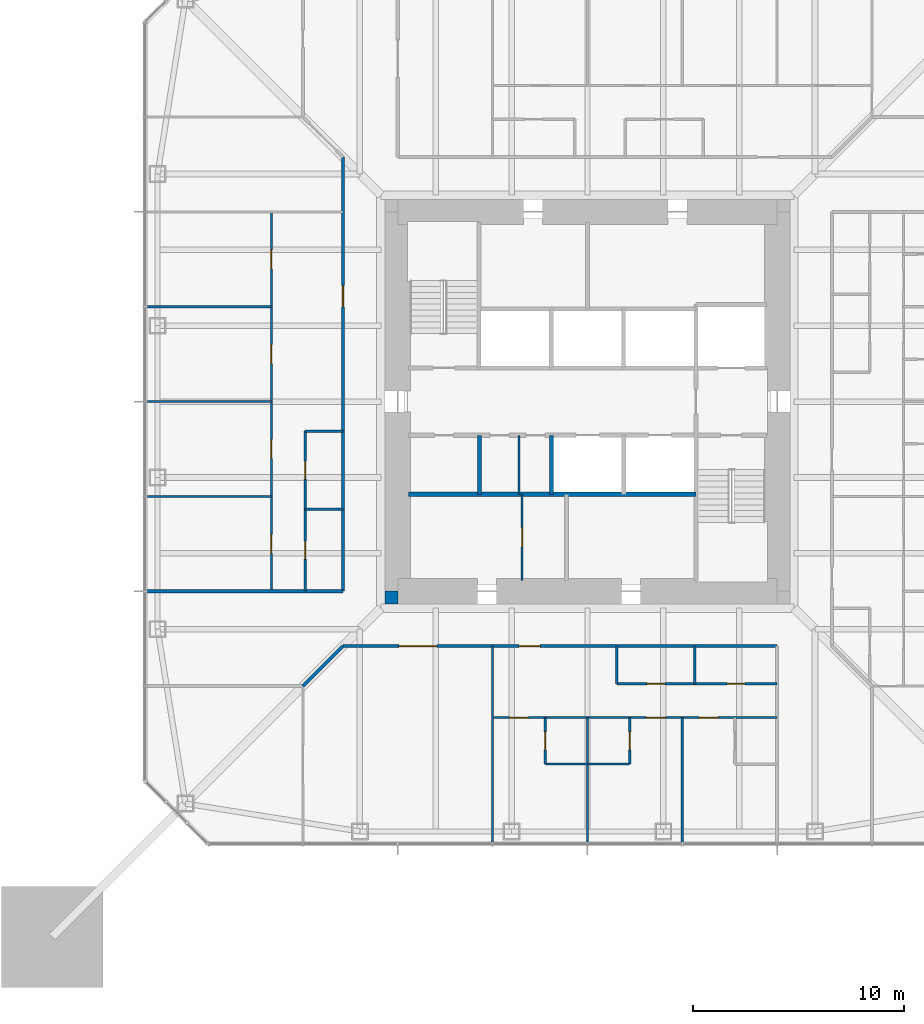
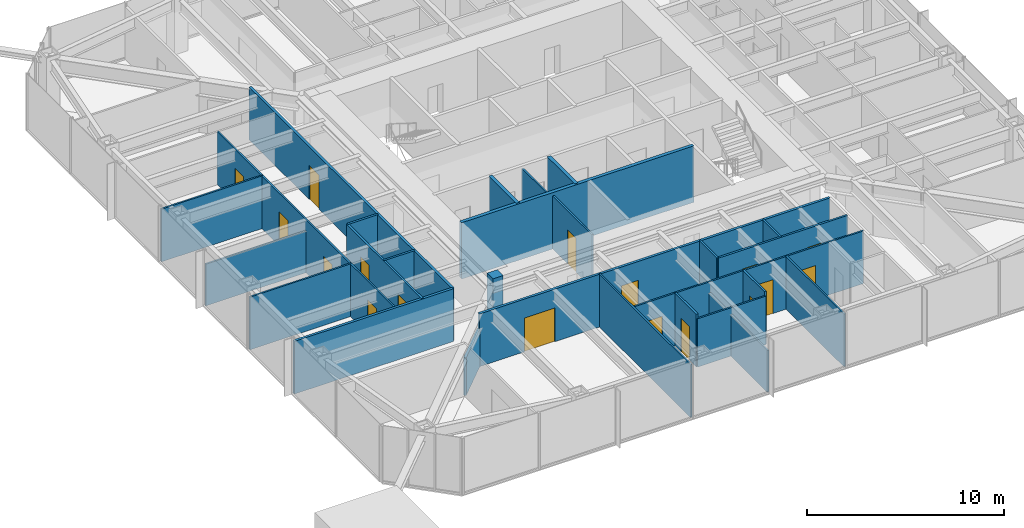
# One storey, part 7 of 14: 27 walls, 17 doors, 17 openings.
"""IFC4 building model written with IfcOpenShell, lengths in metres."""

from ifc_helpers import new_model, si_unit, direction, frame, frame_2d, origin, place, context, subcontext, project, spatial, rectangle, extrude, material, layer, layer_set, type_object, element, fill, save


model = new_model("IFC4")

# Units and contexts
model_context = context("Model", 3, precision=1e-05, world=origin(), true_north=direction((0.0, 1.0)))
body_context = subcontext(model_context, "Body", "Model", "MODEL_VIEW")
ifc_project = project(units=[si_unit("LENGTHUNIT", "METRE"), si_unit("AREAUNIT", "SQUARE_METRE"), si_unit("VOLUMEUNIT", "CUBIC_METRE"), si_unit("PLANEANGLEUNIT", "RADIAN"), si_unit("MASSUNIT", "GRAM", prefix="KILO")], contexts=[model_context])

# Site, building, storey
site_placement = place(None, origin())
site = spatial("IfcSite", under=ifc_project, at=site_placement, CompositionType="ELEMENT")
building_placement = place(site_placement, origin())
building = spatial("IfcBuilding", under=site, at=building_placement, Name="Iwan Alto Co-Living Towers", CompositionType="ELEMENT")
storey_placement = place(building_placement, frame((0.0, 0.0, 136.5)))
storey = spatial("IfcBuildingStorey", under=building, at=storey_placement, Name="L37", CompositionType="ELEMENT", Elevation=136.5)

# Wall, openings, doors
ifc_material_1 = material(Name="Gypsum board")
ifc_layer_1 = layer(ifc_material_1, 0.02490234375, Name="Board", Category="Finish")
ifc_material_2 = material(Name="Steel ASTM A1003 ST33H cold-formed studs", Category="steel")
ifc_layer_2 = layer(ifc_material_2, 0.10009765625, Name="Studs", Category="Framing")
ifc_layer_3 = layer(ifc_material_1, 0.02490234375, Name="Board", Category="Finish")
ifc_layer_set_1 = layer_set([ifc_layer_1, ifc_layer_2, ifc_layer_3], Name="CORRIDOR WALL 150")
wall_type_1 = type_object("IfcWallType", Name="CORRIDOR WALL 150", PredefinedType="PARTITIONING", material=ifc_layer_set_1)
wall_1_placement = place(storey_placement, frame((-11.60009765625, -11.60009765625, 0.0), z_axis=(0.0, 0.0, 1.0), x_axis=(1.0, 0.0, 0.0)))
wall_1 = element("IfcWall", 1, at=wall_1_placement, inside=storey, type_object=wall_type_1, Name="Partition L37", PredefinedType="PARTITIONING", context=body_context, shape_type="SweptSolid", body=[
    extrude(rectangle(XDim=20.60009765625, YDim=0.14990234375, at=frame_2d((10.300048828125, 0.0))), origin(), (0.0, 0.0, 1.0), 3.27001953125),
])
opening_1_placement = place(wall_1_placement, frame((2.64990234375, 0.0, 0.0)))
opening_1 = element("IfcOpeningElement", 2, at=opening_1_placement, cuts=wall_1, Name="Opening D9", PredefinedType="OPENING", context=body_context, shape_type="SweptSolid", body=[
    extrude(rectangle(XDim=1.800048828125, YDim=2.10009765625, at=frame_2d((0.89990234375, 1.050048828125))), frame((0.0, 0.0849609375, 0.0), z_axis=(0.0, -1.0, 0.0), x_axis=(1.0, 0.0, 0.0)), (0.0, 0.0, 1.0), 0.169921875),
])
opening_2_placement = place(wall_1_placement, frame((8.35009765625, 0.0, 0.0)))
opening_2 = element("IfcOpeningElement", 3, at=opening_2_placement, cuts=wall_1, Name="Opening D3", PredefinedType="OPENING", context=body_context, shape_type="SweptSolid", body=[
    extrude(rectangle(XDim=1.0, YDim=2.10009765625, at=frame_2d((0.5, 1.050048828125))), frame((0.0, 0.0849609375, 0.0), z_axis=(0.0, -1.0, 0.0), x_axis=(1.0, 0.0, 0.0)), (0.0, 0.0, 1.0), 0.169921875),
])
ifc_material_3 = material(Name="Steel frame with timber leaf", Category="steel")
door_type_1 = type_object("IfcDoorType", Name="FLAT ENTRANCE DOOR FD30S 1000X2100", OperationType="SINGLE_SWING_LEFT", PredefinedType="DOOR", material=ifc_material_3)
door_1_placement = place(opening_2_placement, frame((1.0, 0.0, 0.0), z_axis=(0.0, 0.0, 1.0), x_axis=(-1.0, 0.0, 0.0)))
door_1 = element("IfcDoor", 4, at=door_1_placement, inside=storey, type_object=door_type_1, Name="Cluster lounge and shared kitchen door L37", OperationType="SINGLE_SWING_RIGHT", OverallHeight=2.10009765625, OverallWidth=1.0, PredefinedType="DOOR", context=body_context, shape_type="SweptSolid", body=[
    extrude(rectangle(XDim=1.0, YDim=2.10009765625, at=frame_2d((0.5, 1.050048828125))), frame((0.0, 0.02490234375, 0.0), z_axis=(0.0, -1.0, 0.0), x_axis=(1.0, 0.0, 0.0)), (0.0, 0.0, 1.0), 0.050048828125),
])
fill(opening_2, door_1)
ifc_material_4 = material(Name="Steel frame with timber leaf", Category="steel")
door_type_2 = type_object("IfcDoorType", Name="LOUNGE DOOR FD30S 1800X2100", OperationType="DOUBLE_DOOR_SINGLE_SWING", PredefinedType="DOOR", material=ifc_material_4)
door_2_placement = place(opening_1_placement, frame((1.800048828125, 0.0, 0.0), z_axis=(0.0, 0.0, 1.0), x_axis=(-1.0, 0.0, 0.0)))
door_2 = element("IfcDoor", 5, at=door_2_placement, inside=storey, type_object=door_type_2, Name="Study commons door L37", OperationType="DOUBLE_DOOR_SINGLE_SWING", OverallHeight=2.10009765625, OverallWidth=1.800048828125, PredefinedType="DOOR", context=body_context, shape_type="SweptSolid", body=[
    extrude(rectangle(XDim=1.800048828125, YDim=2.10009765625, at=frame_2d((0.89990234375, 1.050048828125))), frame((0.0, 0.02490234375, 0.0), z_axis=(0.0, -1.0, 0.0), x_axis=(1.0, 0.0, 0.0)), (0.0, 0.0, 1.0), 0.050048828125),
])
fill(opening_1, door_2)

# Walls
wall_2_placement = place(storey_placement, frame((-20.93994140625, -9.0, 0.0), z_axis=(0.0, 0.0, 1.0), x_axis=(1.0, 0.0, 0.0)))
element("IfcWall", 6, at=wall_2_placement, inside=storey, type_object=wall_type_1, Name="Partition L37", PredefinedType="PARTITIONING", context=body_context, shape_type="SweptSolid", body=[
    extrude(rectangle(XDim=9.33984375, YDim=0.14990234375, at=frame_2d((4.669921875, 0.0))), origin(), (0.0, 0.0, 1.0), 3.27001953125),
])
wall_3_placement = place(storey_placement, frame((-13.5, -13.5, 0.0), z_axis=(0.0, 0.0, 1.0), x_axis=(0.707106781187, 0.707106781187, 0.0)))
element("IfcWall", 7, at=wall_3_placement, inside=storey, type_object=wall_type_1, Name="Partition L37", PredefinedType="PARTITIONING", context=body_context, shape_type="SweptSolid", body=[
    extrude(rectangle(XDim=2.686767578125, YDim=0.14990234375, at=frame_2d((1.34326171875, 0.0))), origin(), (0.0, 0.0, 1.0), 2.343017578125),
])

# Wall, opening, door
wall_4_placement = place(storey_placement, frame((-11.60009765625, -9.0, 0.0), z_axis=(0.0, 0.0, 1.0), x_axis=(0.0, 1.0, 0.0)))
wall_4 = element("IfcWall", 8, at=wall_4_placement, inside=storey, type_object=wall_type_1, Name="Partition L37", PredefinedType="PARTITIONING", context=body_context, shape_type="SweptSolid", body=[
    extrude(rectangle(XDim=20.60009765625, YDim=0.14990234375, at=frame_2d((10.300048828125, 0.0))), origin(), (0.0, 0.0, 1.0), 3.27001953125),
])
opening_3_placement = place(wall_4_placement, frame((13.5, 0.0, 0.0)))
opening_3 = element("IfcOpeningElement", 9, at=opening_3_placement, cuts=wall_4, Name="Opening D3", PredefinedType="OPENING", context=body_context, shape_type="SweptSolid", body=[
    extrude(rectangle(XDim=1.0, YDim=2.10009765625, at=frame_2d((0.5, 1.050048828125))), frame((0.0, 0.0849609375, 0.0), z_axis=(0.0, -1.0, 0.0), x_axis=(1.0, 0.0, 0.0)), (0.0, 0.0, 1.0), 0.169921875),
])
door_3_placement = place(opening_3_placement, origin())
door_3 = element("IfcDoor", 10, at=door_3_placement, inside=storey, type_object=door_type_1, Name="Cluster lounge and shared kitchen door L37", OperationType="SINGLE_SWING_RIGHT", OverallHeight=2.10009765625, OverallWidth=1.0, PredefinedType="DOOR", context=body_context, shape_type="SweptSolid", body=[
    extrude(rectangle(XDim=1.0, YDim=2.10009765625, at=frame_2d((0.5, 1.050048828125))), frame((0.0, 0.02490234375, 0.0), z_axis=(0.0, -1.0, 0.0), x_axis=(1.0, 0.0, 0.0)), (0.0, 0.0, 1.0), 0.050048828125),
])
fill(opening_3, door_3)

# Wall
ifc_layer_4 = layer(ifc_material_1, 0.012451171875, Name="Board", Category="Finish")
ifc_layer_5 = layer(ifc_material_2, 0.074951171875, Name="Studs", Category="Framing")
ifc_layer_6 = layer(ifc_material_1, 0.012451171875, Name="Board", Category="Finish")
ifc_layer_set_2 = layer_set([ifc_layer_4, ifc_layer_5, ifc_layer_6], Name="PARTITION 100")
wall_type_2 = type_object("IfcWallType", Name="PARTITION 100", PredefinedType="PARTITIONING", material=ifc_layer_set_2)
wall_5_placement = place(storey_placement, frame((-2.0, -17.199951171875, 0.0), z_axis=(0.0, 0.0, 1.0), x_axis=(1.0, 0.0, 0.0)))
element("IfcWall", 11, at=wall_5_placement, inside=storey, type_object=wall_type_2, Name="Partition L37", PredefinedType="PARTITIONING", context=body_context, shape_type="SweptSolid", body=[
    extrude(rectangle(XDim=4.0, YDim=0.10009765625, at=frame_2d((2.0, 0.0))), origin(), (0.0, 0.0, 1.0), 3.0),
])

# Wall, openings, doors
wall_6_placement = place(storey_placement, frame((-4.5, -15.0, 0.0), z_axis=(0.0, 0.0, 1.0), x_axis=(1.0, 0.0, 0.0)))
wall_6 = element("IfcWall", 12, at=wall_6_placement, inside=storey, type_object=wall_type_2, Name="Partition L37", PredefinedType="PARTITIONING", context=body_context, shape_type="SweptSolid", body=[
    extrude(rectangle(XDim=13.5, YDim=0.10009765625, at=frame_2d((6.75, 0.0))), origin(), (0.0, 0.0, 1.0), 3.27001953125),
])
opening_4_placement = place(wall_6_placement, frame((0.800048828125, 0.0, 0.0)))
opening_4 = element("IfcOpeningElement", 13, at=opening_4_placement, cuts=wall_6, Name="Opening D1", PredefinedType="OPENING", context=body_context, shape_type="SweptSolid", body=[
    extrude(rectangle(XDim=0.89990234375, YDim=2.10009765625, at=frame_2d((0.449951171875, 1.050048828125))), frame((0.0, 0.06005859375, 0.0), z_axis=(0.0, -1.0, 0.0), x_axis=(1.0, 0.0, 0.0)), (0.0, 0.0, 1.0), 0.1201171875),
])
opening_5_placement = place(wall_6_placement, frame((7.300048828125, 0.0, 0.0)))
opening_5 = element("IfcOpeningElement", 14, at=opening_5_placement, cuts=wall_6, Name="Opening D1", PredefinedType="OPENING", context=body_context, shape_type="SweptSolid", body=[
    extrude(rectangle(XDim=0.89990234375, YDim=2.10009765625, at=frame_2d((0.449951171875, 1.050048828125))), frame((0.0, 0.06005859375, 0.0), z_axis=(0.0, -1.0, 0.0), x_axis=(1.0, 0.0, 0.0)), (0.0, 0.0, 1.0), 0.1201171875),
])
opening_6_placement = place(wall_6_placement, frame((9.800048828125, 0.0, 0.0)))
opening_6 = element("IfcOpeningElement", 15, at=opening_6_placement, cuts=wall_6, Name="Opening D1", PredefinedType="OPENING", context=body_context, shape_type="SweptSolid", body=[
    extrude(rectangle(XDim=0.89990234375, YDim=2.10009765625, at=frame_2d((0.449951171875, 1.050048828125))), frame((0.0, 0.06005859375, 0.0), z_axis=(0.0, -1.0, 0.0), x_axis=(1.0, 0.0, 0.0)), (0.0, 0.0, 1.0), 0.1201171875),
])
ifc_material_5 = material(Name="Timber leaf in steel frame", Category="steel")
door_type_3 = type_object("IfcDoorType", Name="BEDROOM DOOR 900X2100", OperationType="SINGLE_SWING_LEFT", PredefinedType="DOOR", material=ifc_material_5)
door_4_placement = place(opening_4_placement, origin())
door_4 = element("IfcDoor", 16, at=door_4_placement, inside=storey, type_object=door_type_3, Name="Study bedroom door L37", OperationType="SINGLE_SWING_LEFT", OverallHeight=2.10009765625, OverallWidth=0.89990234375, PredefinedType="DOOR", context=body_context, shape_type="SweptSolid", body=[
    extrude(rectangle(XDim=0.89990234375, YDim=2.10009765625, at=frame_2d((0.449951171875, 1.050048828125))), frame((0.0, 0.02490234375, 0.0), z_axis=(0.0, -1.0, 0.0), x_axis=(1.0, 0.0, 0.0)), (0.0, 0.0, 1.0), 0.050048828125),
])
fill(opening_4, door_4)
door_5_placement = place(opening_5_placement, origin())
door_5 = element("IfcDoor", 17, at=door_5_placement, inside=storey, type_object=door_type_3, Name="Study bedroom door L37", OperationType="SINGLE_SWING_RIGHT", OverallHeight=2.10009765625, OverallWidth=0.89990234375, PredefinedType="DOOR", context=body_context, shape_type="SweptSolid", body=[
    extrude(rectangle(XDim=0.89990234375, YDim=2.10009765625, at=frame_2d((0.449951171875, 1.050048828125))), frame((0.0, 0.02490234375, 0.0), z_axis=(0.0, -1.0, 0.0), x_axis=(1.0, 0.0, 0.0)), (0.0, 0.0, 1.0), 0.050048828125),
])
fill(opening_5, door_5)
door_6_placement = place(opening_6_placement, origin())
door_6 = element("IfcDoor", 18, at=door_6_placement, inside=storey, type_object=door_type_3, Name="Study bedroom door L37", OperationType="SINGLE_SWING_RIGHT", OverallHeight=2.10009765625, OverallWidth=0.89990234375, PredefinedType="DOOR", context=body_context, shape_type="SweptSolid", body=[
    extrude(rectangle(XDim=0.89990234375, YDim=2.10009765625, at=frame_2d((0.449951171875, 1.050048828125))), frame((0.0, 0.02490234375, 0.0), z_axis=(0.0, -1.0, 0.0), x_axis=(1.0, 0.0, 0.0)), (0.0, 0.0, 1.0), 0.050048828125),
])
fill(opening_6, door_6)

# Walls
wall_7_placement = place(storey_placement, frame((-20.93994140625, -4.5, 0.0), z_axis=(0.0, 0.0, 1.0), x_axis=(1.0, 0.0, 0.0)))
element("IfcWall", 19, at=wall_7_placement, inside=storey, type_object=wall_type_2, Name="Partition L37", PredefinedType="PARTITIONING", context=body_context, shape_type="SweptSolid", body=[
    extrude(rectangle(XDim=5.93994140625, YDim=0.10009765625, at=frame_2d((2.969970703125, 0.0))), origin(), (0.0, 0.0, 1.0), 3.27001953125),
])
wall_8_placement = place(storey_placement, frame((-20.93994140625, 0.0, 0.0), z_axis=(0.0, 0.0, 1.0), x_axis=(1.0, 0.0, 0.0)))
element("IfcWall", 20, at=wall_8_placement, inside=storey, type_object=wall_type_2, Name="Partition L37", PredefinedType="PARTITIONING", context=body_context, shape_type="SweptSolid", body=[
    extrude(rectangle(XDim=5.93994140625, YDim=0.10009765625, at=frame_2d((2.969970703125, 0.0))), origin(), (0.0, 0.0, 1.0), 2.586669921875),
])
for number, where, z_axis, x_axis, name in (
    (21, (-20.93994140625, 4.5, 0.0), (0.0, 0.0, 1.0), (1.0, 0.0, 0.0), "Partition L37"),
    (22, (4.5, -20.93994140625, 0.0), (0.0, 0.0, 1.0), (0.0, 1.0, 0.0), "Partition L37"),
):
    element("IfcWall", number, at=place(storey_placement, frame(where, z_axis=z_axis, x_axis=x_axis)), inside=storey, type_object=wall_type_2, Name=name, PredefinedType="PARTITIONING", context=body_context, shape_type="SweptSolid", body=[
        extrude(rectangle(XDim=5.93994140625, YDim=0.10009765625, at=frame_2d((2.969970703125, 0.0))), origin(), (0.0, 0.0, 1.0), 3.27001953125),
    ])
wall_9_placement = place(storey_placement, frame((0.0, -20.93994140625, 0.0), z_axis=(0.0, 0.0, 1.0), x_axis=(0.0, 1.0, 0.0)))
element("IfcWall", 23, at=wall_9_placement, inside=storey, type_object=wall_type_2, Name="Partition L37", PredefinedType="PARTITIONING", context=body_context, shape_type="SweptSolid", body=[
    extrude(rectangle(XDim=5.93994140625, YDim=0.10009765625, at=frame_2d((2.969970703125, 0.0))), origin(), (0.0, 0.0, 1.0), 2.586669921875),
])

# Wall, opening, door
wall_10_placement = place(storey_placement, frame((-3.10009765625, -8.489990234375, 0.0), z_axis=(0.0, 0.0, 1.0), x_axis=(0.0, 1.0, 0.0)))
wall_10 = element("IfcWall", 24, at=wall_10_placement, inside=storey, type_object=wall_type_2, Name="Partition L37", PredefinedType="PARTITIONING", context=body_context, shape_type="SweptSolid", body=[
    extrude(rectangle(XDim=4.090087890625, YDim=0.10009765625, at=frame_2d((2.044921875, 0.0))), origin(), (0.0, 0.0, 1.0), 3.300048828125),
])
opening_7_placement = place(wall_10_placement, frame((1.594970703125, 0.0, 0.0)))
opening_7 = element("IfcOpeningElement", 25, at=opening_7_placement, cuts=wall_10, Name="Opening D16", PredefinedType="OPENING", context=body_context, shape_type="SweptSolid", body=[
    extrude(rectangle(XDim=0.89990234375, YDim=2.10009765625, at=frame_2d((0.449951171875, 1.050048828125))), frame((0.0, 0.06005859375, 0.0), z_axis=(0.0, -1.0, 0.0), x_axis=(1.0, 0.0, 0.0)), (0.0, 0.0, 1.0), 0.1201171875),
])
ifc_material_6 = material(Name="Timber leaf in steel frame", Category="steel")
door_type_4 = type_object("IfcDoorType", Name="CUPBOARD SLIDING DOOR 900X2100", OperationType="SLIDING_TO_LEFT", PredefinedType="DOOR", material=ifc_material_6)
door_7_placement = place(opening_7_placement, origin())
door_7 = element("IfcDoor", 26, at=door_7_placement, inside=storey, type_object=door_type_4, Name="Bin store door L37", OperationType="SLIDING_TO_LEFT", OverallHeight=2.10009765625, OverallWidth=0.89990234375, PredefinedType="DOOR", context=body_context, shape_type="SweptSolid", body=[
    extrude(rectangle(XDim=0.89990234375, YDim=2.10009765625, at=frame_2d((0.449951171875, 1.050048828125))), frame((0.0, 0.02490234375, 0.0), z_axis=(0.0, -1.0, 0.0), x_axis=(1.0, 0.0, 0.0)), (0.0, 0.0, 1.0), 0.050048828125),
])
fill(opening_7, door_7)

# Walls
wall_11_placement = place(storey_placement, frame((-3.240966796875, -4.39990234375, 0.0), z_axis=(0.0, 0.0, 1.0), x_axis=(0.0, 1.0, 0.0)))
element("IfcWall", 27, at=wall_11_placement, inside=storey, type_object=wall_type_2, Name="Partition L37", PredefinedType="PARTITIONING", context=body_context, shape_type="SweptSolid", body=[
    extrude(rectangle(XDim=2.7998046875, YDim=0.10009765625, at=frame_2d((1.39990234375, 0.0))), origin(), (0.0, 0.0, 1.0), 3.300048828125),
])
wall_12_placement = place(storey_placement, frame((-4.5, -20.93994140625, 0.0), z_axis=(0.0, 0.0, 1.0), x_axis=(0.0, 1.0, 0.0)))
element("IfcWall", 28, at=wall_12_placement, inside=storey, type_object=wall_type_2, Name="Partition L37", PredefinedType="PARTITIONING", context=body_context, shape_type="SweptSolid", body=[
    extrude(rectangle(XDim=9.33984375, YDim=0.10009765625, at=frame_2d((4.669921875, 0.0))), origin(), (0.0, 0.0, 1.0), 3.27001953125),
])

# Wall, openings, doors
wall_13_placement = place(storey_placement, frame((-15.0, -9.0, 0.0), z_axis=(0.0, 0.0, 1.0), x_axis=(0.0, 1.0, 0.0)))
wall_13 = element("IfcWall", 29, at=wall_13_placement, inside=storey, type_object=wall_type_2, Name="Partition L37", PredefinedType="PARTITIONING", context=body_context, shape_type="SweptSolid", body=[
    extrude(rectangle(XDim=18.0, YDim=0.10009765625, at=frame_2d((9.0, 0.0))), origin(), (0.0, 0.0, 1.0), 3.27001953125),
])
opening_8_placement = place(wall_13_placement, frame((15.300048828125, 0.0, 0.0)))
opening_8 = element("IfcOpeningElement", 30, at=opening_8_placement, cuts=wall_13, Name="Opening D1", PredefinedType="OPENING", context=body_context, shape_type="SweptSolid", body=[
    extrude(rectangle(XDim=0.89990234375, YDim=2.10009765625, at=frame_2d((0.449951171875, 1.050048828125))), frame((0.0, 0.06005859375, 0.0), z_axis=(0.0, -1.0, 0.0), x_axis=(1.0, 0.0, 0.0)), (0.0, 0.0, 1.0), 0.1201171875),
])
opening_9_placement = place(wall_13_placement, frame((10.800048828125, 0.0, 0.0)))
opening_9 = element("IfcOpeningElement", 31, at=opening_9_placement, cuts=wall_13, Name="Opening D1", PredefinedType="OPENING", context=body_context, shape_type="SweptSolid", body=[
    extrude(rectangle(XDim=0.89990234375, YDim=2.10009765625, at=frame_2d((0.449951171875, 1.050048828125))), frame((0.0, 0.06005859375, 0.0), z_axis=(0.0, -1.0, 0.0), x_axis=(1.0, 0.0, 0.0)), (0.0, 0.0, 1.0), 0.1201171875),
])
opening_10_placement = place(wall_13_placement, frame((6.300048828125, 0.0, 0.0)))
opening_10 = element("IfcOpeningElement", 32, at=opening_10_placement, cuts=wall_13, Name="Opening D1", PredefinedType="OPENING", context=body_context, shape_type="SweptSolid", body=[
    extrude(rectangle(XDim=0.89990234375, YDim=2.10009765625, at=frame_2d((0.449951171875, 1.050048828125))), frame((0.0, 0.06005859375, 0.0), z_axis=(0.0, -1.0, 0.0), x_axis=(1.0, 0.0, 0.0)), (0.0, 0.0, 1.0), 0.1201171875),
])
opening_11_placement = place(wall_13_placement, frame((1.800048828125, 0.0, 0.0)))
opening_11 = element("IfcOpeningElement", 33, at=opening_11_placement, cuts=wall_13, Name="Opening D1", PredefinedType="OPENING", context=body_context, shape_type="SweptSolid", body=[
    extrude(rectangle(XDim=0.89990234375, YDim=2.10009765625, at=frame_2d((0.449951171875, 1.050048828125))), frame((0.0, 0.06005859375, 0.0), z_axis=(0.0, -1.0, 0.0), x_axis=(1.0, 0.0, 0.0)), (0.0, 0.0, 1.0), 0.1201171875),
])
door_8_placement = place(opening_8_placement, frame((0.89990234375, 0.0, 0.0), z_axis=(0.0, 0.0, 1.0), x_axis=(-1.0, 0.0, 0.0)))
door_8 = element("IfcDoor", 34, at=door_8_placement, inside=storey, type_object=door_type_3, Name="Study bedroom door L37", OperationType="SINGLE_SWING_LEFT", OverallHeight=2.10009765625, OverallWidth=0.89990234375, PredefinedType="DOOR", context=body_context, shape_type="SweptSolid", body=[
    extrude(rectangle(XDim=0.89990234375, YDim=2.10009765625, at=frame_2d((0.449951171875, 1.050048828125))), frame((0.0, 0.02490234375, 0.0), z_axis=(0.0, -1.0, 0.0), x_axis=(1.0, 0.0, 0.0)), (0.0, 0.0, 1.0), 0.050048828125),
])
fill(opening_8, door_8)
door_9_placement = place(opening_9_placement, frame((0.89990234375, 0.0, 0.0), z_axis=(0.0, 0.0, 1.0), x_axis=(-1.0, 0.0, 0.0)))
door_9 = element("IfcDoor", 35, at=door_9_placement, inside=storey, type_object=door_type_3, Name="Study bedroom door L37", OperationType="SINGLE_SWING_LEFT", OverallHeight=2.10009765625, OverallWidth=0.89990234375, PredefinedType="DOOR", context=body_context, shape_type="SweptSolid", body=[
    extrude(rectangle(XDim=0.89990234375, YDim=2.10009765625, at=frame_2d((0.449951171875, 1.050048828125))), frame((0.0, 0.02490234375, 0.0), z_axis=(0.0, -1.0, 0.0), x_axis=(1.0, 0.0, 0.0)), (0.0, 0.0, 1.0), 0.050048828125),
])
fill(opening_9, door_9)
door_10_placement = place(opening_10_placement, frame((0.89990234375, 0.0, 0.0), z_axis=(0.0, 0.0, 1.0), x_axis=(-1.0, 0.0, 0.0)))
door_10 = element("IfcDoor", 36, at=door_10_placement, inside=storey, type_object=door_type_3, Name="Study bedroom door L37", OperationType="SINGLE_SWING_RIGHT", OverallHeight=2.10009765625, OverallWidth=0.89990234375, PredefinedType="DOOR", context=body_context, shape_type="SweptSolid", body=[
    extrude(rectangle(XDim=0.89990234375, YDim=2.10009765625, at=frame_2d((0.449951171875, 1.050048828125))), frame((0.0, 0.02490234375, 0.0), z_axis=(0.0, -1.0, 0.0), x_axis=(1.0, 0.0, 0.0)), (0.0, 0.0, 1.0), 0.050048828125),
])
fill(opening_10, door_10)
door_11_placement = place(opening_11_placement, frame((0.89990234375, 0.0, 0.0), z_axis=(0.0, 0.0, 1.0), x_axis=(-1.0, 0.0, 0.0)))
door_11 = element("IfcDoor", 37, at=door_11_placement, inside=storey, type_object=door_type_3, Name="Study bedroom door L37", OperationType="SINGLE_SWING_RIGHT", OverallHeight=2.10009765625, OverallWidth=0.89990234375, PredefinedType="DOOR", context=body_context, shape_type="SweptSolid", body=[
    extrude(rectangle(XDim=0.89990234375, YDim=2.10009765625, at=frame_2d((0.449951171875, 1.050048828125))), frame((0.0, 0.02490234375, 0.0), z_axis=(0.0, -1.0, 0.0), x_axis=(1.0, 0.0, 0.0)), (0.0, 0.0, 1.0), 0.050048828125),
])
fill(opening_11, door_11)

# Walls
ifc_material_7 = material(Name="Concrete f'c 70 MPa", Category="concrete")
ifc_layer_7 = layer(ifc_material_7, 0.199951171875)
ifc_layer_set_3 = layer_set([ifc_layer_7], Name="SHAFT WALL 200")
wall_type_3 = type_object("IfcWallType", Name="SHAFT WALL 200", PredefinedType="SOLIDWALL", material=ifc_layer_set_3)
wall_14_placement = place(storey_placement, frame((-8.489990234375, -4.39990234375, 0.0), z_axis=(0.0, 0.0, 1.0), x_axis=(1.0, 0.0, 0.0)))
element("IfcWall", 38, at=wall_14_placement, inside=storey, type_object=wall_type_3, Name="Shaft wall L37", PredefinedType="SOLIDWALL", context=body_context, shape_type="SweptSolid", body=[
    extrude(rectangle(XDim=13.639892578125, YDim=0.199951171875, at=frame_2d((6.81982421875, 0.0))), origin(), (0.0, 0.0, 1.0), 3.5),
])
for number, where, z_axis, x_axis, name in (
    (39, (-1.699951171875, -4.39990234375, 0.0), (0.0, 0.0, 1.0), (0.0, 1.0, 0.0), "Shaft wall L37"),
    (40, (-5.125, -4.39990234375, 0.0), (0.0, 0.0, 1.0), (0.0, 1.0, 0.0), "Shaft wall L37"),
):
    element("IfcWall", number, at=place(storey_placement, frame(where, z_axis=z_axis, x_axis=x_axis)), inside=storey, type_object=wall_type_3, Name=name, PredefinedType="SOLIDWALL", context=body_context, shape_type="SweptSolid", body=[
        extrude(rectangle(XDim=2.7998046875, YDim=0.199951171875, at=frame_2d((1.39990234375, 0.0))), origin(), (0.0, 0.0, 1.0), 3.5),
    ])
ifc_material_8 = material(Name="Concrete f'c 70 MPa", Category="concrete")
ifc_layer_8 = layer(ifc_material_8, 0.60009765625)
ifc_layer_set_4 = layer_set([ifc_layer_8], Name="T1 CORE CORNER FILL 600")
wall_type_4 = type_object("IfcWallType", Name="T1 CORE CORNER FILL 600", PredefinedType="SOLIDWALL", material=ifc_layer_set_4)
wall_15_placement = place(storey_placement, frame((-9.60009765625, -9.300048828125, 0.0), z_axis=(0.0, 0.0, 1.0), x_axis=(1.0, 0.0, 0.0)))
element("IfcWall", 41, at=wall_15_placement, inside=storey, type_object=wall_type_4, Name="T1 core corner SW L37", PredefinedType="SOLIDWALL", context=body_context, shape_type="SweptSolid", body=[
    extrude(rectangle(XDim=0.60009765625, YDim=0.60009765625, at=frame_2d((0.300048828125, 0.0))), origin(), (0.0, 0.0, 1.0), 3.5),
])

# Wall, openings, doors
ifc_material_9 = material(Name="Cement board")
ifc_layer_9 = layer(ifc_material_9, 0.012451171875, Name="Board", Category="Finish")
ifc_layer_10 = layer(ifc_material_2, 0.094970703125, Name="Studs", Category="Framing")
ifc_layer_11 = layer(ifc_material_9, 0.012451171875, Name="Board", Category="Finish")
ifc_layer_set_5 = layer_set([ifc_layer_9, ifc_layer_10, ifc_layer_11], Name="WET AREA PARTITION 120")
wall_type_5 = type_object("IfcWallType", Name="WET AREA PARTITION 120", PredefinedType="PARTITIONING", material=ifc_layer_set_5)
wall_16_placement = place(storey_placement, frame((1.39990234375, -13.39990234375, 0.0), z_axis=(0.0, 0.0, 1.0), x_axis=(1.0, 0.0, 0.0)))
wall_16 = element("IfcWall", 42, at=wall_16_placement, inside=storey, type_object=wall_type_5, Name="Partition L37", PredefinedType="PARTITIONING", context=body_context, shape_type="SweptSolid", body=[
    extrude(rectangle(XDim=7.60009765625, YDim=0.1201171875, at=frame_2d((3.800048828125, 0.0))), origin(), (0.0, 0.0, 1.0), 3.27001953125),
])
opening_12_placement = place(wall_16_placement, frame((1.425048828125, 0.0, 0.0)))
opening_12 = element("IfcOpeningElement", 43, at=opening_12_placement, cuts=wall_16, Name="Opening D2", PredefinedType="OPENING", context=body_context, shape_type="SweptSolid", body=[
    extrude(rectangle(XDim=0.85009765625, YDim=2.10009765625, at=frame_2d((0.425048828125, 1.050048828125))), frame((0.0, 0.070068359375, 0.0), z_axis=(0.0, -1.0, 0.0), x_axis=(1.0, 0.0, 0.0)), (0.0, 0.0, 1.0), 0.14013671875),
])
opening_13_placement = place(wall_16_placement, frame((5.22509765625, 0.0, 0.0)))
opening_13 = element("IfcOpeningElement", 44, at=opening_13_placement, cuts=wall_16, Name="Opening D2", PredefinedType="OPENING", context=body_context, shape_type="SweptSolid", body=[
    extrude(rectangle(XDim=0.85009765625, YDim=2.10009765625, at=frame_2d((0.425048828125, 1.050048828125))), frame((0.0, 0.070068359375, 0.0), z_axis=(0.0, -1.0, 0.0), x_axis=(1.0, 0.0, 0.0)), (0.0, 0.0, 1.0), 0.14013671875),
])
ifc_material_10 = material(Name="Timber leaf in steel frame", Category="steel")
door_type_5 = type_object("IfcDoorType", Name="ROOM DOOR 850X2100", OperationType="SINGLE_SWING_LEFT", PredefinedType="DOOR", material=ifc_material_10)
door_12_placement = place(opening_12_placement, frame((0.85009765625, 0.0, 0.0), z_axis=(0.0, 0.0, 1.0), x_axis=(-1.0, 0.0, 0.0)))
door_12 = element("IfcDoor", 45, at=door_12_placement, inside=storey, type_object=door_type_5, Name="Accessible bathroom door L37", OperationType="SINGLE_SWING_LEFT", OverallHeight=2.10009765625, OverallWidth=0.85009765625, PredefinedType="DOOR", context=body_context, shape_type="SweptSolid", body=[
    extrude(rectangle(XDim=0.85009765625, YDim=2.10009765625, at=frame_2d((0.425048828125, 1.050048828125))), frame((0.0, 0.02490234375, 0.0), z_axis=(0.0, -1.0, 0.0), x_axis=(1.0, 0.0, 0.0)), (0.0, 0.0, 1.0), 0.050048828125),
])
fill(opening_12, door_12)
door_13_placement = place(opening_13_placement, frame((0.85009765625, 0.0, 0.0), z_axis=(0.0, 0.0, 1.0), x_axis=(-1.0, 0.0, 0.0)))
door_13 = element("IfcDoor", 46, at=door_13_placement, inside=storey, type_object=door_type_5, Name="Laundry door L37", OperationType="SINGLE_SWING_LEFT", OverallHeight=2.10009765625, OverallWidth=0.85009765625, PredefinedType="DOOR", context=body_context, shape_type="SweptSolid", body=[
    extrude(rectangle(XDim=0.85009765625, YDim=2.10009765625, at=frame_2d((0.425048828125, 1.050048828125))), frame((0.0, 0.02490234375, 0.0), z_axis=(0.0, -1.0, 0.0), x_axis=(1.0, 0.0, 0.0)), (0.0, 0.0, 1.0), 0.050048828125),
])
fill(opening_13, door_13)

# Walls
for number, where, z_axis, x_axis, name in (
    (47, (-13.39990234375, -5.10009765625, 0.0), (0.0, 0.0, 1.0), (1.0, 0.0, 0.0), "Partition L37"),
    (48, (-13.39990234375, -1.39990234375, 0.0), (0.0, 0.0, 1.0), (1.0, 0.0, 0.0), "Partition L37"),
    (49, (5.10009765625, -13.39990234375, 0.0), (0.0, 0.0, 1.0), (0.0, 1.0, 0.0), "Partition L37"),
):
    element("IfcWall", number, at=place(storey_placement, frame(where, z_axis=z_axis, x_axis=x_axis)), inside=storey, type_object=wall_type_5, Name=name, PredefinedType="PARTITIONING", context=body_context, shape_type="SweptSolid", body=[
        extrude(rectangle(XDim=1.7998046875, YDim=0.1201171875, at=frame_2d((0.89990234375, 0.0))), origin(), (0.0, 0.0, 1.0), 3.27001953125),
    ])

# Wall, opening, door
wall_17_placement = place(storey_placement, frame((2.0, -17.199951171875, 0.0), z_axis=(0.0, 0.0, 1.0), x_axis=(0.0, 1.0, 0.0)))
wall_17 = element("IfcWall", 50, at=wall_17_placement, inside=storey, type_object=wall_type_5, Name="Partition L37", PredefinedType="PARTITIONING", context=body_context, shape_type="SweptSolid", body=[
    extrude(rectangle(XDim=2.199951171875, YDim=0.1201171875, at=frame_2d((1.10009765625, 0.0))), origin(), (0.0, 0.0, 1.0), 3.27001953125),
])
opening_14_placement = place(wall_17_placement, frame((0.675048828125, 0.0, 0.0)))
opening_14 = element("IfcOpeningElement", 51, at=opening_14_placement, cuts=wall_17, Name="Opening D2", PredefinedType="OPENING", context=body_context, shape_type="SweptSolid", body=[
    extrude(rectangle(XDim=0.85009765625, YDim=2.10009765625, at=frame_2d((0.425048828125, 1.050048828125))), frame((0.0, 0.070068359375, 0.0), z_axis=(0.0, -1.0, 0.0), x_axis=(1.0, 0.0, 0.0)), (0.0, 0.0, 1.0), 0.14013671875),
])
door_14_placement = place(opening_14_placement, frame((0.85009765625, 0.0, 0.0), z_axis=(0.0, 0.0, 1.0), x_axis=(-1.0, 0.0, 0.0)))
door_14 = element("IfcDoor", 52, at=door_14_placement, inside=storey, type_object=door_type_5, Name="En-suite shower room door L37", OperationType="SINGLE_SWING_LEFT", OverallHeight=2.10009765625, OverallWidth=0.85009765625, PredefinedType="DOOR", context=body_context, shape_type="SweptSolid", body=[
    extrude(rectangle(XDim=0.85009765625, YDim=2.10009765625, at=frame_2d((0.425048828125, 1.050048828125))), frame((0.0, 0.02490234375, 0.0), z_axis=(0.0, -1.0, 0.0), x_axis=(1.0, 0.0, 0.0)), (0.0, 0.0, 1.0), 0.050048828125),
])
fill(opening_14, door_14)

# Wall
wall_18_placement = place(storey_placement, frame((1.39990234375, -13.39990234375, 0.0), z_axis=(0.0, 0.0, 1.0), x_axis=(0.0, 1.0, 0.0)))
element("IfcWall", 53, at=wall_18_placement, inside=storey, type_object=wall_type_5, Name="Partition L37", PredefinedType="PARTITIONING", context=body_context, shape_type="SweptSolid", body=[
    extrude(rectangle(XDim=1.7998046875, YDim=0.1201171875, at=frame_2d((0.89990234375, 0.0))), origin(), (0.0, 0.0, 1.0), 3.27001953125),
])

# Wall, opening, door
wall_19_placement = place(storey_placement, frame((-2.0, -17.199951171875, 0.0), z_axis=(0.0, 0.0, 1.0), x_axis=(0.0, 1.0, 0.0)))
wall_19 = element("IfcWall", 54, at=wall_19_placement, inside=storey, type_object=wall_type_5, Name="Partition L37", PredefinedType="PARTITIONING", context=body_context, shape_type="SweptSolid", body=[
    extrude(rectangle(XDim=2.199951171875, YDim=0.1201171875, at=frame_2d((1.10009765625, 0.0))), origin(), (0.0, 0.0, 1.0), 3.27001953125),
])
opening_15_placement = place(wall_19_placement, frame((0.675048828125, 0.0, 0.0)))
opening_15 = element("IfcOpeningElement", 55, at=opening_15_placement, cuts=wall_19, Name="Opening D2", PredefinedType="OPENING", context=body_context, shape_type="SweptSolid", body=[
    extrude(rectangle(XDim=0.85009765625, YDim=2.10009765625, at=frame_2d((0.425048828125, 1.050048828125))), frame((0.0, 0.070068359375, 0.0), z_axis=(0.0, -1.0, 0.0), x_axis=(1.0, 0.0, 0.0)), (0.0, 0.0, 1.0), 0.14013671875),
])
door_15_placement = place(opening_15_placement, origin())
door_15 = element("IfcDoor", 56, at=door_15_placement, inside=storey, type_object=door_type_5, Name="En-suite shower room door L37", OperationType="SINGLE_SWING_RIGHT", OverallHeight=2.10009765625, OverallWidth=0.85009765625, PredefinedType="DOOR", context=body_context, shape_type="SweptSolid", body=[
    extrude(rectangle(XDim=0.85009765625, YDim=2.10009765625, at=frame_2d((0.425048828125, 1.050048828125))), frame((0.0, 0.02490234375, 0.0), z_axis=(0.0, -1.0, 0.0), x_axis=(1.0, 0.0, 0.0)), (0.0, 0.0, 1.0), 0.050048828125),
])
fill(opening_15, door_15)

# Wall, openings, doors
wall_20_placement = place(storey_placement, frame((-13.39990234375, -9.0, 0.0), z_axis=(0.0, 0.0, 1.0), x_axis=(0.0, 1.0, 0.0)))
wall_20 = element("IfcWall", 57, at=wall_20_placement, inside=storey, type_object=wall_type_5, Name="Partition L37", PredefinedType="PARTITIONING", context=body_context, shape_type="SweptSolid", body=[
    extrude(rectangle(XDim=7.60009765625, YDim=0.1201171875, at=frame_2d((3.800048828125, 0.0))), origin(), (0.0, 0.0, 1.0), 3.27001953125),
])
opening_16_placement = place(wall_20_placement, frame((5.324951171875, 0.0, 0.0)))
opening_16 = element("IfcOpeningElement", 58, at=opening_16_placement, cuts=wall_20, Name="Opening D2", PredefinedType="OPENING", context=body_context, shape_type="SweptSolid", body=[
    extrude(rectangle(XDim=0.85009765625, YDim=2.10009765625, at=frame_2d((0.425048828125, 1.050048828125))), frame((0.0, 0.070068359375, 0.0), z_axis=(0.0, -1.0, 0.0), x_axis=(1.0, 0.0, 0.0)), (0.0, 0.0, 1.0), 0.14013671875),
])
opening_17_placement = place(wall_20_placement, frame((1.52490234375, 0.0, 0.0)))
opening_17 = element("IfcOpeningElement", 59, at=opening_17_placement, cuts=wall_20, Name="Opening D2", PredefinedType="OPENING", context=body_context, shape_type="SweptSolid", body=[
    extrude(rectangle(XDim=0.85009765625, YDim=2.10009765625, at=frame_2d((0.425048828125, 1.050048828125))), frame((0.0, 0.070068359375, 0.0), z_axis=(0.0, -1.0, 0.0), x_axis=(1.0, 0.0, 0.0)), (0.0, 0.0, 1.0), 0.14013671875),
])
door_16_placement = place(opening_16_placement, origin())
door_16 = element("IfcDoor", 60, at=door_16_placement, inside=storey, type_object=door_type_5, Name="Accessible bathroom door L37", OperationType="SINGLE_SWING_LEFT", OverallHeight=2.10009765625, OverallWidth=0.85009765625, PredefinedType="DOOR", context=body_context, shape_type="SweptSolid", body=[
    extrude(rectangle(XDim=0.85009765625, YDim=2.10009765625, at=frame_2d((0.425048828125, 1.050048828125))), frame((0.0, 0.02490234375, 0.0), z_axis=(0.0, -1.0, 0.0), x_axis=(1.0, 0.0, 0.0)), (0.0, 0.0, 1.0), 0.050048828125),
])
fill(opening_16, door_16)
door_17_placement = place(opening_17_placement, origin())
door_17 = element("IfcDoor", 61, at=door_17_placement, inside=storey, type_object=door_type_5, Name="Laundry door L37", OperationType="SINGLE_SWING_LEFT", OverallHeight=2.10009765625, OverallWidth=0.85009765625, PredefinedType="DOOR", context=body_context, shape_type="SweptSolid", body=[
    extrude(rectangle(XDim=0.85009765625, YDim=2.10009765625, at=frame_2d((0.425048828125, 1.050048828125))), frame((0.0, 0.02490234375, 0.0), z_axis=(0.0, -1.0, 0.0), x_axis=(1.0, 0.0, 0.0)), (0.0, 0.0, 1.0), 0.050048828125),
])
fill(opening_17, door_17)

save(model, "model.ifc")
